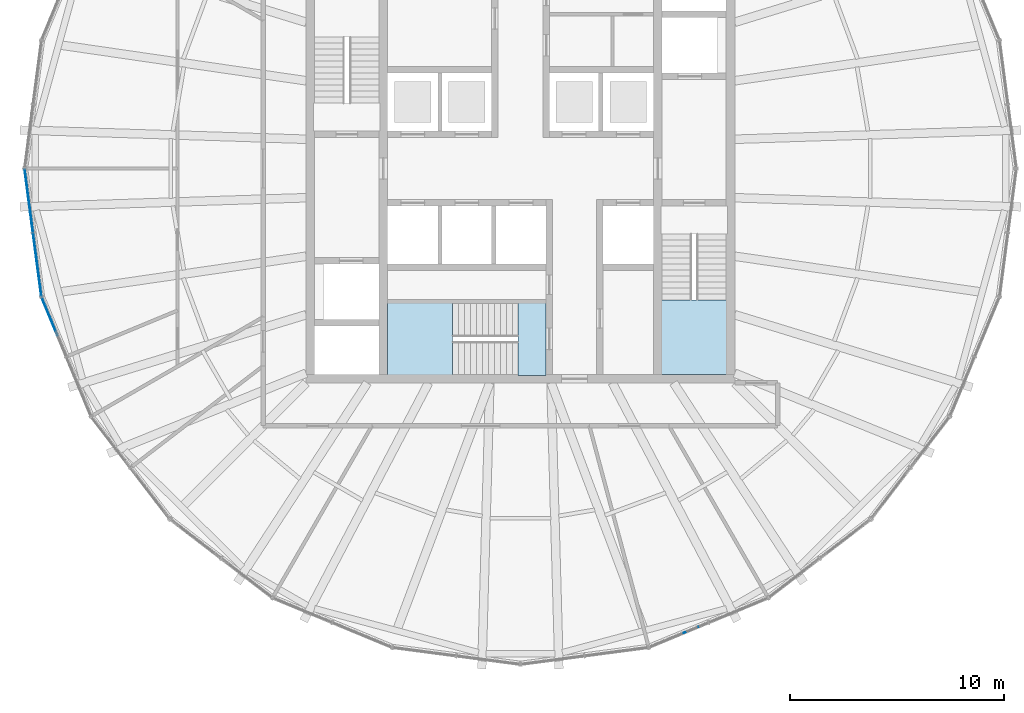
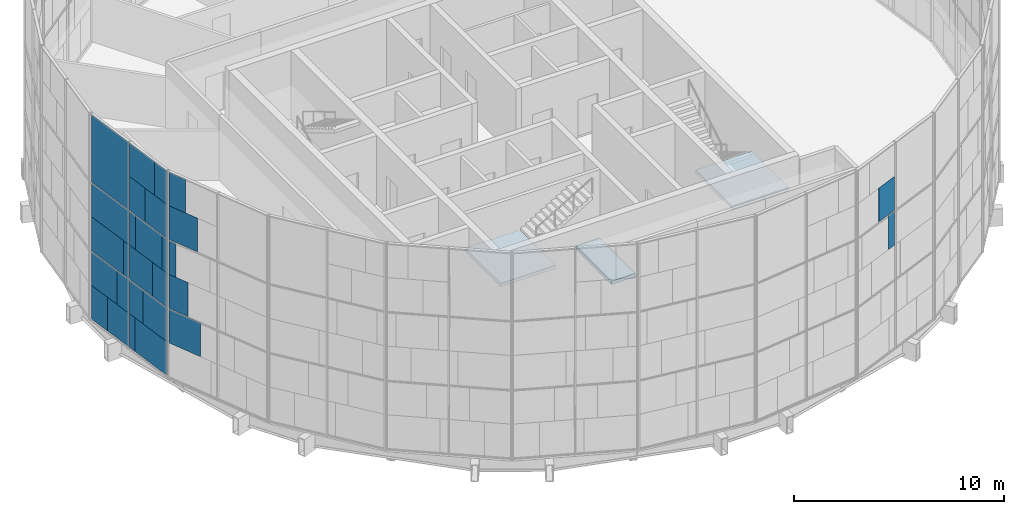
# One storey, part 11 of 23: 28 plates, 3 slabs, 5 elements without a shape of their own.
"""IFC4 building model written with IfcOpenShell, lengths in metres."""

from ifc_helpers import new_model, si_unit, direction, frame, origin, origin_2d, place, context, subcontext, project, spatial, polyline, rectangle, outline, extrude, material, layer, layer_set, type_object, element, aggregate, save


model = new_model("IFC4")

# Units and contexts
model_context = context("Model", 3, precision=1e-05, world=origin(), true_north=direction((0.0, 1.0)))
body_context = subcontext(model_context, "Body", "Model", "MODEL_VIEW")
ifc_project = project(units=[si_unit("LENGTHUNIT", "METRE"), si_unit("AREAUNIT", "SQUARE_METRE"), si_unit("VOLUMEUNIT", "CUBIC_METRE"), si_unit("PLANEANGLEUNIT", "RADIAN"), si_unit("MASSUNIT", "GRAM", prefix="KILO")], contexts=[model_context])

# Site, building, storey
site_placement = place(None, origin())
site = spatial("IfcSite", under=ifc_project, at=site_placement, CompositionType="ELEMENT")
building_placement = place(site_placement, origin())
building = spatial("IfcBuilding", under=site, at=building_placement, Name="Golbaran Civic Tower", CompositionType="ELEMENT")
storey_placement = place(building_placement, frame((0.0, 0.0, 220.0)))
storey = spatial("IfcBuildingStorey", under=building, at=storey_placement, Name="L53", CompositionType="ELEMENT", Elevation=220.0)

# Curtain wall, plates
ifc_material_1 = material(Name="Aluminium and glass", Category="aluminium")
curtain_wall_type = type_object("IfcCurtainWallType", Name="INNER SKIN CURTAIN WALL EXECUTIVE", PredefinedType="NOTDEFINED", material=ifc_material_1)
curtain_wall_1_placement = place(storey_placement, origin())
curtain_wall_1 = element("IfcCurtainWall", 1, at=curtain_wall_1_placement, inside=storey, type_object=curtain_wall_type, Name="Inner skin L53 facet 13 CW2", ObjectType="INNER SKIN", PredefinedType="USERDEFINED")
ifc_material_2 = material(Name="Clear insulating glass", Category="glass")
ifc_layer_1 = layer(ifc_material_2, 0.031982421875, Name="Clear insulating glass")
ifc_layer_set_1 = layer_set([ifc_layer_1], Name="Clear insulating glass")
plate_type_1 = type_object("IfcPlateType", Name="INNER SKIN CURTAIN WALL EXECUTIVE GLAZED PANEL", PredefinedType="CURTAIN_PANEL", material=ifc_layer_set_1)
plate_1_placement = place(storey_placement, frame((-23.043701171875, -0.68603515625, 0.06005859375), z_axis=(0.0, 0.0, 1.0), x_axis=(0.130526192289, -0.991444861365, 0.0)))
plate_1 = element("IfcPlate", 2, at=plate_1_placement, type_object=plate_type_1, Name="CW2 panel 1.1 part 1", PredefinedType="CURTAIN_PANEL", context=body_context, shape_type="SweptSolid", body=[
    extrude(rectangle(XDim=1.263916015625, YDim=0.031982421875, at=origin_2d()), origin(), (0.0, 0.0, 1.0), 1.955078125),
])
plate_2_placement = place(storey_placement, frame((-22.99658203125, -1.04443359375, 2.014892578125), z_axis=(0.0, 0.0, 1.0), x_axis=(0.130526192289, -0.991444861365, 0.0)))
plate_2 = element("IfcPlate", 3, at=plate_2_placement, type_object=plate_type_1, Name="CW2 panel 1.1 part 3", PredefinedType="CURTAIN_PANEL", context=body_context, shape_type="SweptSolid", body=[
    extrude(rectangle(XDim=1.987060546875, YDim=0.031982421875, at=origin_2d()), origin(), (0.0, 0.0, 1.0), 1.955078125),
])
plate_3_placement = place(storey_placement, frame((-22.961181640625, -1.312744140625, 4.02978515625), z_axis=(0.0, 0.0, 1.0), x_axis=(0.130526192289, -0.991444861365, 0.0)))
plate_3 = element("IfcPlate", 4, at=plate_3_placement, type_object=plate_type_1, Name="CW2 panel 1.2 part 1", PredefinedType="CURTAIN_PANEL", context=body_context, shape_type="SweptSolid", body=[
    extrude(rectangle(XDim=2.528076171875, YDim=0.031982421875, at=origin_2d()), origin(), (0.0, 0.0, 1.0), 1.969970703125),
])
plate_4_placement = place(storey_placement, frame((-22.93505859375, -1.51171875, 6.0), z_axis=(0.0, 0.0, 1.0), x_axis=(0.130526192289, -0.991444861365, 0.0)))
plate_4 = element("IfcPlate", 5, at=plate_4_placement, type_object=plate_type_1, Name="CW2 panel 1.2 part 3", PredefinedType="CURTAIN_PANEL", context=body_context, shape_type="SweptSolid", body=[
    extrude(rectangle(XDim=2.9296875, YDim=0.031982421875, at=origin_2d()), origin(), (0.0, 0.0, 1.0), 1.969970703125),
])
plate_5_placement = place(storey_placement, frame((-22.93505859375, -1.51171875, 8.0302734375), z_axis=(0.0, 0.0, 1.0), x_axis=(0.130526192289, -0.991444861365, 0.0)))
plate_5 = element("IfcPlate", 6, at=plate_5_placement, type_object=plate_type_1, Name="CW2 panel 1.3", PredefinedType="CURTAIN_PANEL", context=body_context, shape_type="SweptSolid", body=[
    extrude(rectangle(XDim=2.9296875, YDim=0.031982421875, at=origin_2d()), origin(), (0.0, 0.0, 1.0), 3.909912109375),
])
plate_6_placement = place(storey_placement, frame((-22.5185546875, -4.674072265625, 0.06005859375), z_axis=(0.0, 0.0, 1.0), x_axis=(0.130526192289, -0.991444861365, 0.0)))
plate_6 = element("IfcPlate", 7, at=plate_6_placement, type_object=plate_type_1, Name="CW2 panel 2.1 part 2", PredefinedType="CURTAIN_PANEL", context=body_context, shape_type="SweptSolid", body=[
    extrude(rectangle(XDim=2.529541015625, YDim=0.031982421875, at=origin_2d()), origin(), (0.0, 0.0, 1.0), 1.955078125),
])
plate_7_placement = place(storey_placement, frame((-22.476806640625, -4.9912109375, 2.014892578125), z_axis=(0.0, 0.0, 1.0), x_axis=(0.130526192289, -0.991444861365, 0.0)))
plate_7 = element("IfcPlate", 8, at=plate_7_placement, type_object=plate_type_1, Name="CW2 panel 2.1 part 4", PredefinedType="CURTAIN_PANEL", context=body_context, shape_type="SweptSolid", body=[
    extrude(rectangle(XDim=1.8896484375, YDim=0.031982421875, at=origin_2d()), origin(), (0.0, 0.0, 1.0), 1.955078125),
])
plate_8_placement = place(storey_placement, frame((-22.427978515625, -5.363037109375, 4.02978515625), z_axis=(0.0, 0.0, 1.0), x_axis=(0.130526192289, -0.991444861365, 0.0)))
plate_8 = element("IfcPlate", 9, at=plate_8_placement, type_object=plate_type_1, Name="CW2 panel 2.2 part 2", PredefinedType="CURTAIN_PANEL", context=body_context, shape_type="SweptSolid", body=[
    extrude(rectangle(XDim=1.1396484375, YDim=0.031982421875, at=origin_2d()), origin(), (0.0, 0.0, 1.0), 1.969970703125),
])
plate_9_placement = place(storey_placement, frame((-22.705322265625, -3.256103515625, 6.0), z_axis=(0.0, 0.0, 1.0), x_axis=(0.130526192289, -0.991444861365, 0.0)))
plate_9 = element("IfcPlate", 10, at=plate_9_placement, type_object=plate_type_1, Name="CW2 panel 2.2 part 3", PredefinedType="CURTAIN_PANEL", context=body_context, shape_type="SweptSolid", body=[
    extrude(rectangle(XDim=0.468994140625, YDim=0.031982421875, at=origin_2d()), origin(), (0.0, 0.0, 1.0), 1.969970703125),
])
plate_10_placement = place(storey_placement, frame((-22.38037109375, -5.723876953125, 6.0), z_axis=(0.0, 0.0, 1.0), x_axis=(0.130526192289, -0.991444861365, 0.0)))
plate_10 = element("IfcPlate", 11, at=plate_10_placement, type_object=plate_type_1, Name="CW2 panel 2.2 part 5", PredefinedType="CURTAIN_PANEL", context=body_context, shape_type="SweptSolid", body=[
    extrude(rectangle(XDim=0.41162109375, YDim=0.031982421875, at=origin_2d()), origin(), (0.0, 0.0, 1.0), 1.969970703125),
])
plate_11_placement = place(storey_placement, frame((-22.656494140625, -3.627685546875, 8.030029296875), z_axis=(0.0, 0.0, 1.0), x_axis=(0.130526192289, -0.991444861365, 0.0)))
plate_11 = element("IfcPlate", 12, at=plate_11_placement, type_object=plate_type_1, Name="CW2 panel 2.3 part 1", PredefinedType="CURTAIN_PANEL", context=body_context, shape_type="SweptSolid", body=[
    extrude(rectangle(XDim=1.218994140625, YDim=0.031982421875, at=origin_2d()), origin(), (0.0, 0.0, 1.0), 1.955078125),
])
plate_12_placement = place(storey_placement, frame((-22.609375, -3.985595703125, 9.98486328125), z_axis=(0.0, 0.0, 1.0), x_axis=(0.130526192289, -0.991444861365, 0.0)))
plate_12 = element("IfcPlate", 13, at=plate_12_placement, type_object=plate_type_1, Name="CW2 panel 2.3 part 3", PredefinedType="CURTAIN_PANEL", context=body_context, shape_type="SweptSolid", body=[
    extrude(rectangle(XDim=1.94091796875, YDim=0.031982421875, at=origin_2d()), origin(), (0.0, 0.0, 1.0), 1.955078125),
])

curtain_wall_2_placement = place(storey_placement, origin())
curtain_wall_2 = element("IfcCurtainWall", 14, at=curtain_wall_2_placement, inside=storey, type_object=curtain_wall_type, Name="Inner skin L53 facet 14 CW2", ObjectType="INNER SKIN", PredefinedType="USERDEFINED")
plate_13_placement = place(storey_placement, frame((-21.96142578125, -6.91552734375, 2.014892578125), z_axis=(0.0, 0.0, 1.0), x_axis=(0.382683432317, -0.923879532531, 0.0)))
plate_13 = element("IfcPlate", 15, at=plate_13_placement, type_object=plate_type_1, Name="CW2 panel 1.1 part 3", PredefinedType="CURTAIN_PANEL", context=body_context, shape_type="SweptSolid", body=[
    extrude(rectangle(XDim=1.888916015625, YDim=0.031982421875, at=origin_2d()), origin(), (0.0, 0.0, 1.0), 1.955078125),
])
plate_14_placement = place(storey_placement, frame((-22.104736328125, -6.569091796875, 4.02978515625), z_axis=(0.0, 0.0, 1.0), x_axis=(0.382683432317, -0.923879532531, 0.0)))
plate_14 = element("IfcPlate", 16, at=plate_14_placement, type_object=plate_type_1, Name="CW2 panel 1.2 part 1", PredefinedType="CURTAIN_PANEL", context=body_context, shape_type="SweptSolid", body=[
    extrude(rectangle(XDim=1.138916015625, YDim=0.031982421875, at=origin_2d()), origin(), (0.0, 0.0, 1.0), 1.969970703125),
])
plate_15_placement = place(storey_placement, frame((-22.243896484375, -6.233154296875, 6.0), z_axis=(0.0, 0.0, 1.0), x_axis=(0.382683432317, -0.923879532531, 0.0)))
plate_15 = element("IfcPlate", 17, at=plate_15_placement, type_object=plate_type_1, Name="CW2 panel 1.2 part 3", PredefinedType="CURTAIN_PANEL", context=body_context, shape_type="SweptSolid", body=[
    extrude(rectangle(XDim=0.412109375, YDim=0.031982421875, at=origin_2d()), origin(), (0.0, 0.0, 1.0), 1.969970703125),
])

curtain_wall_3_placement = place(storey_placement, origin())
curtain_wall_3 = element("IfcCurtainWall", 18, at=curtain_wall_3_placement, inside=storey, type_object=curtain_wall_type, Name="Inner skin L53 facet 20 CW2", ObjectType="INNER SKIN", PredefinedType="USERDEFINED")
plate_16_placement = place(storey_placement, frame((8.533203125, -21.291259765625, 6.0), z_axis=(0.0, 0.0, 1.0), x_axis=(0.923879532531, 0.382683432317, 0.0)))
plate_16 = element("IfcPlate", 19, at=plate_16_placement, type_object=plate_type_1, Name="CW2 panel 1.2 part 5", PredefinedType="CURTAIN_PANEL", context=body_context, shape_type="SweptSolid", body=[
    extrude(rectangle(XDim=0.468505859375, YDim=0.031982421875, at=origin_2d()), origin(), (0.0, 0.0, 1.0), 1.969970703125),
])
plate_17_placement = place(storey_placement, frame((8.1865234375, -21.434814453125, 8.030029296875), z_axis=(0.0, 0.0, 1.0), x_axis=(0.923879532531, 0.382683432317, 0.0)))
plate_17 = element("IfcPlate", 20, at=plate_17_placement, type_object=plate_type_1, Name="CW2 panel 1.3 part 2", PredefinedType="CURTAIN_PANEL", context=body_context, shape_type="SweptSolid", body=[
    extrude(rectangle(XDim=1.218505859375, YDim=0.031982421875, at=origin_2d()), origin(), (0.0, 0.0, 1.0), 1.955078125),
])
aggregate(curtain_wall_3, [plate_16, plate_17])

# Plate
ifc_material_3 = material(Name="Aluminium faced opaque infill panel", Category="aluminium")
ifc_layer_2 = layer(ifc_material_3, 0.031982421875, Name="Aluminium faced opaque infill panel")
ifc_layer_set_2 = layer_set([ifc_layer_2], Name="Aluminium faced opaque infill panel")
plate_type_2 = type_object("IfcPlateType", Name="INNER SKIN CURTAIN WALL EXECUTIVE OPAQUE INFILL PANEL", PredefinedType="CURTAIN_PANEL", material=ifc_layer_set_2)
plate_18_placement = place(storey_placement, frame((-22.8525390625, -2.138427734375, 0.06005859375), z_axis=(0.0, 0.0, 1.0), x_axis=(0.130526192289, -0.991444861365, 0.0)))
plate_18 = element("IfcPlate", 21, at=plate_18_placement, type_object=plate_type_2, Name="CW2 infill panel 1.1 part 2", PredefinedType="CURTAIN_PANEL", context=body_context, shape_type="SweptSolid", body=[
    extrude(rectangle(XDim=1.66552734375, YDim=0.031982421875, at=origin_2d()), origin(), (0.0, 0.0, 1.0), 1.955078125),
])

plate_19_placement = place(storey_placement, frame((-22.80517578125, -2.496826171875, 2.014892578125), z_axis=(0.0, 0.0, 1.0), x_axis=(0.130526192289, -0.991444861365, 0.0)))
plate_19 = element("IfcPlate", 22, at=plate_19_placement, type_object=plate_type_2, Name="CW2 infill panel 1.1 part 4", PredefinedType="CURTAIN_PANEL", context=body_context, shape_type="SweptSolid", body=[
    extrude(rectangle(XDim=0.942626953125, YDim=0.031982421875, at=origin_2d()), origin(), (0.0, 0.0, 1.0), 1.955078125),
])

plate_20_placement = place(storey_placement, frame((-22.77001953125, -2.764892578125, 4.02978515625), z_axis=(0.0, 0.0, 1.0), x_axis=(0.130526192289, -0.991444861365, 0.0)))
plate_20 = element("IfcPlate", 23, at=plate_20_placement, type_object=plate_type_2, Name="CW2 infill panel 1.2 part 2", PredefinedType="CURTAIN_PANEL", context=body_context, shape_type="SweptSolid", body=[
    extrude(rectangle(XDim=0.401611328125, YDim=0.031982421875, at=origin_2d()), origin(), (0.0, 0.0, 1.0), 1.969970703125),
])

plate_21_placement = place(storey_placement, frame((-22.7099609375, -3.2216796875, 0.06005859375), z_axis=(0.0, 0.0, 1.0), x_axis=(0.130526192289, -0.991444861365, 0.0)))
plate_21 = element("IfcPlate", 24, at=plate_21_placement, type_object=plate_type_2, Name="CW2 infill panel 2.1 part 1", PredefinedType="CURTAIN_PANEL", context=body_context, shape_type="SweptSolid", body=[
    extrude(rectangle(XDim=0.39990234375, YDim=0.031982421875, at=origin_2d()), origin(), (0.0, 0.0, 1.0), 1.955078125),
])

plate_22_placement = place(storey_placement, frame((-22.66796875, -3.5390625, 2.014892578125), z_axis=(0.0, 0.0, 1.0), x_axis=(0.130526192289, -0.991444861365, 0.0)))
plate_22 = element("IfcPlate", 25, at=plate_22_placement, type_object=plate_type_2, Name="CW2 infill panel 2.1 part 3", PredefinedType="CURTAIN_PANEL", context=body_context, shape_type="SweptSolid", body=[
    extrude(rectangle(XDim=1.0400390625, YDim=0.031982421875, at=origin_2d()), origin(), (0.0, 0.0, 1.0), 1.955078125),
])

plate_23_placement = place(storey_placement, frame((-22.619140625, -3.910888671875, 4.02978515625), z_axis=(0.0, 0.0, 1.0), x_axis=(0.130526192289, -0.991444861365, 0.0)))
plate_23 = element("IfcPlate", 26, at=plate_23_placement, type_object=plate_type_2, Name="CW2 infill panel 2.2 part 1", PredefinedType="CURTAIN_PANEL", context=body_context, shape_type="SweptSolid", body=[
    extrude(rectangle(XDim=1.7900390625, YDim=0.031982421875, at=origin_2d()), origin(), (0.0, 0.0, 1.0), 1.969970703125),
])

plate_24_placement = place(storey_placement, frame((-22.541015625, -4.504150390625, 6.0), z_axis=(0.0, 0.0, 1.0), x_axis=(0.130526192289, -0.991444861365, 0.0)))
plate_24 = element("IfcPlate", 27, at=plate_24_placement, type_object=plate_type_2, Name="CW2 infill panel 2.2 part 4", PredefinedType="CURTAIN_PANEL", context=body_context, shape_type="SweptSolid", body=[
    extrude(rectangle(XDim=2.049072265625, YDim=0.031982421875, at=origin_2d()), origin(), (0.0, 0.0, 1.0), 1.969970703125),
])

plate_25_placement = place(storey_placement, frame((-22.465087890625, -5.080078125, 8.030029296875), z_axis=(0.0, 0.0, 1.0), x_axis=(0.130526192289, -0.991444861365, 0.0)))
plate_25 = element("IfcPlate", 28, at=plate_25_placement, type_object=plate_type_2, Name="CW2 infill panel 2.3 part 2", PredefinedType="CURTAIN_PANEL", context=body_context, shape_type="SweptSolid", body=[
    extrude(rectangle(XDim=1.710693359375, YDim=0.031982421875, at=origin_2d()), origin(), (0.0, 0.0, 1.0), 1.955078125),
])

plate_26_placement = place(storey_placement, frame((-22.41796875, -5.43798828125, 9.98486328125), z_axis=(0.0, 0.0, 1.0), x_axis=(0.130526192289, -0.991444861365, 0.0)))
plate_26 = element("IfcPlate", 29, at=plate_26_placement, type_object=plate_type_2, Name="CW2 infill panel 2.3 part 4", PredefinedType="CURTAIN_PANEL", context=body_context, shape_type="SweptSolid", body=[
    extrude(rectangle(XDim=0.988525390625, YDim=0.031982421875, at=origin_2d()), origin(), (0.0, 0.0, 1.0), 1.955078125),
])

aggregate(curtain_wall_1, [plate_1, plate_18, plate_2, plate_19, plate_3, plate_20, plate_4, plate_5, plate_21, plate_6, plate_22, plate_7, plate_23, plate_8, plate_9, plate_24, plate_10, plate_11, plate_25, plate_12, plate_26])

plate_27_placement = place(storey_placement, frame((-21.995361328125, -6.833251953125, 8.030029296875), z_axis=(0.0, 0.0, 1.0), x_axis=(0.382683432317, -0.923879532531, 0.0)))
plate_27 = element("IfcPlate", 30, at=plate_27_placement, type_object=plate_type_2, Name="CW2 infill panel 1.3 part 1", PredefinedType="CURTAIN_PANEL", context=body_context, shape_type="SweptSolid", body=[
    extrude(rectangle(XDim=1.7109375, YDim=0.031982421875, at=origin_2d()), origin(), (0.0, 0.0, 1.0), 1.955078125),
])

plate_28_placement = place(storey_placement, frame((-22.1337890625, -6.499267578125, 9.98486328125), z_axis=(0.0, 0.0, 1.0), x_axis=(0.382683432317, -0.923879532531, 0.0)))
plate_28 = element("IfcPlate", 31, at=plate_28_placement, type_object=plate_type_2, Name="CW2 infill panel 1.3 part 3", PredefinedType="CURTAIN_PANEL", context=body_context, shape_type="SweptSolid", body=[
    extrude(rectangle(XDim=0.988037109375, YDim=0.031982421875, at=origin_2d()), origin(), (0.0, 0.0, 1.0), 1.955078125),
])

aggregate(curtain_wall_2, [plate_13, plate_14, plate_15, plate_27, plate_28])

# Stair, slab
ifc_material_4 = material(Name="Concrete C35/45", Category="concrete")
stair_type_1 = type_object("IfcStairType", Name="EXIT STAIR 3000 x 7850, 4000 RISE", PredefinedType="HALF_TURN_STAIR", material=ifc_material_4)
stair_1_placement = place(storey_placement, origin())
stair_1 = element("IfcStair", 32, at=stair_1_placement, inside=storey, type_object=stair_type_1, Name="Stair S2 L53", PredefinedType="HALF_TURN_STAIR")
ifc_layer_3 = layer(ifc_material_4, 0.199951171875, Name="Concrete C35/45")
ifc_layer_set_3 = layer_set([ifc_layer_3], Name="Concrete C35/45")
slab_type = type_object("IfcSlabType", Name="STAIR LANDING 200", PredefinedType="LANDING", material=ifc_layer_set_3)
slab_1_placement = place(storey_placement, frame((0.0, 0.0, 1.800048828125)))
slab_1 = element("IfcSlab", 33, at=slab_1_placement, type_object=slab_type, Name="ST30078-40 landing 1", PredefinedType="LANDING", context=body_context, shape_type="SweptSolid", body=[
    extrude(outline(polyline([(9.64990234375, -6.125), (9.64990234375, -9.60009765625), (6.550048828125, -9.60009765625), (6.550048828125, -6.125), (9.64990234375, -6.125)])), origin(), (0.0, 0.0, 1.0), 0.199951171875),
])
aggregate(stair_1, [slab_1])

stair_type_2 = type_object("IfcStairType", Name="EXIT STAIR 3300 x 7400, 4000 RISE", PredefinedType="HALF_TURN_STAIR", material=ifc_material_4)
stair_2_placement = place(storey_placement, origin())
stair_2 = element("IfcStair", 34, at=stair_2_placement, inside=storey, type_object=stair_type_2, Name="Stair S3 L53", PredefinedType="HALF_TURN_STAIR")
slab_2_placement = place(storey_placement, frame((0.0, 0.0, 1.800048828125)))
slab_2 = element("IfcSlab", 35, at=slab_2_placement, type_object=slab_type, Name="ST33074-40 landing 1", PredefinedType="LANDING", context=body_context, shape_type="SweptSolid", body=[
    extrude(outline(polyline([(-3.175048828125, -9.64990234375), (-6.199951171875, -9.64990234375), (-6.199951171875, -6.25), (-3.175048828125, -6.25), (-3.175048828125, -9.64990234375)])), origin(), (0.0, 0.0, 1.0), 0.199951171875),
])
aggregate(stair_2, [slab_2])

# Slab
slab_3_placement = place(storey_placement, frame((0.0, 0.0, -0.199951171875)))
element("IfcSlab", 36, at=slab_3_placement, inside=storey, type_object=slab_type, Name="Stair S3 floor landing L53", PredefinedType="LANDING", context=body_context, shape_type="SweptSolid", body=[
    extrude(outline(polyline([(1.199951171875, -9.64990234375), (-0.10498046875, -9.64990234375), (-0.10498046875, -6.25), (1.199951171875, -6.25), (1.199951171875, -9.64990234375)])), origin(), (0.0, 0.0, 1.0), 0.199951171875),
])

save(model, "model.ifc")
